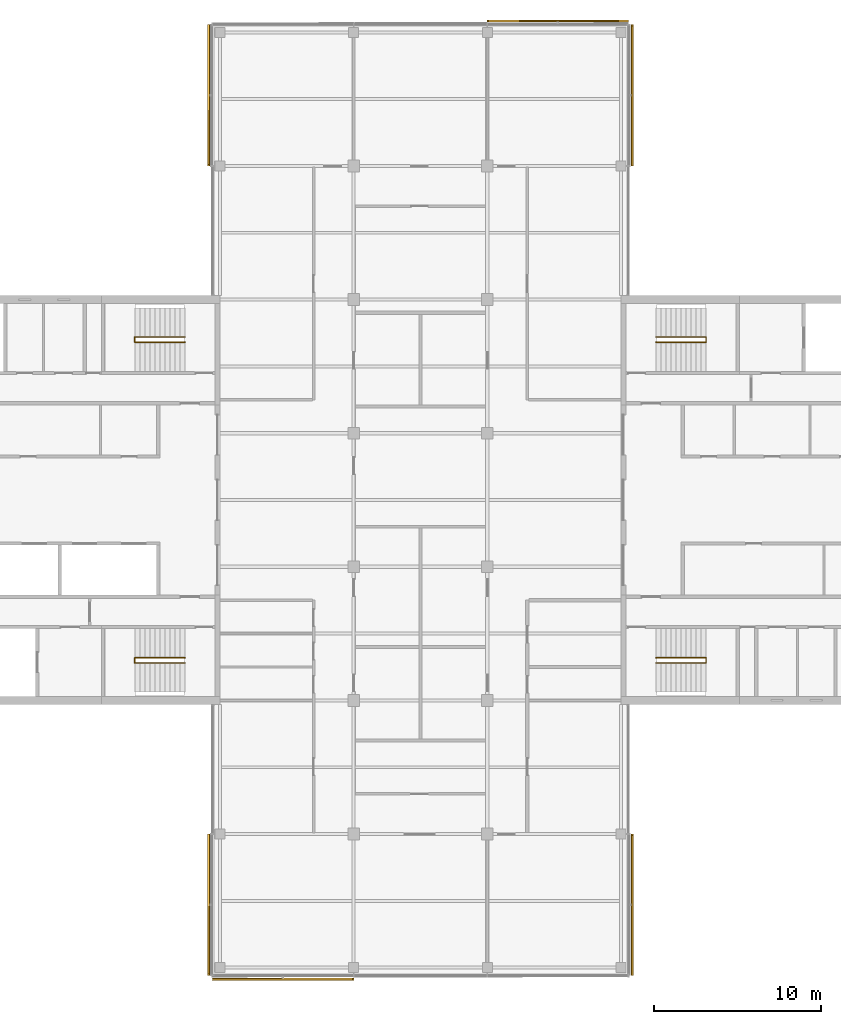
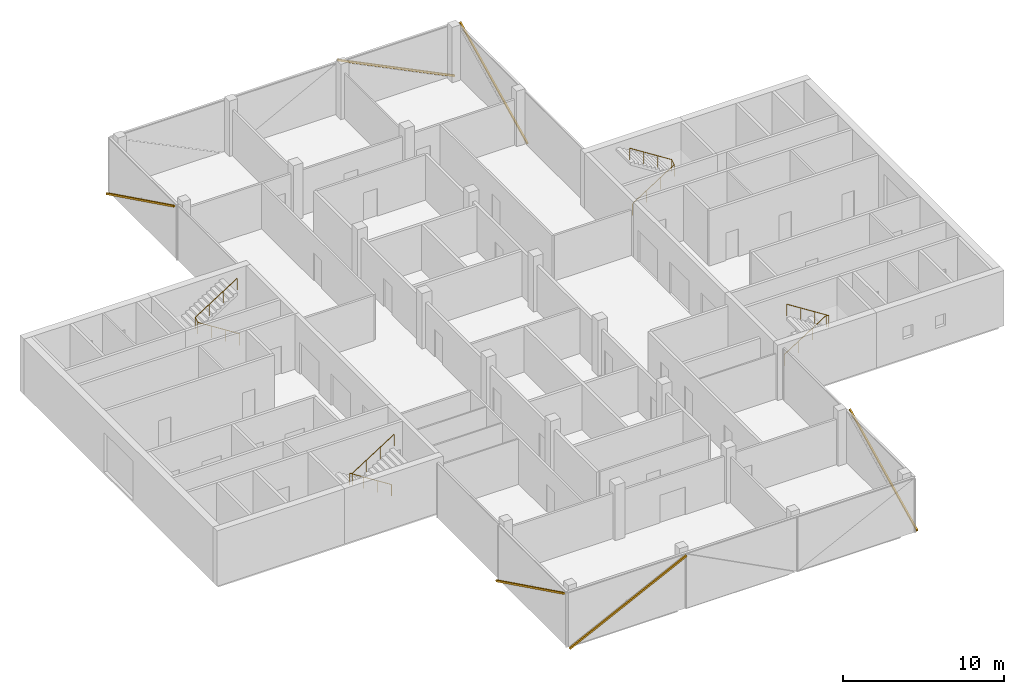
# One storey, part 16 of 16: 6 shading devices, 4 railings, 6 elements without a shape of their own.
"""IFC4 building model written with IfcOpenShell, lengths in metres."""

from ifc_helpers import new_model, si_unit, direction, frame, origin, origin_2d, place, context, subcontext, project, spatial, rectangle, circle, extrude, material, material_profile, profile_set, type_object, element, aggregate, save


model = new_model("IFC4")

# Units and contexts
model_context = context("Model", 3, precision=1e-05, world=origin(), true_north=direction((0.0, 1.0)))
body_context = subcontext(model_context, "Body", "Model", "MODEL_VIEW")
ifc_project = project(units=[si_unit("LENGTHUNIT", "METRE"), si_unit("AREAUNIT", "SQUARE_METRE"), si_unit("VOLUMEUNIT", "CUBIC_METRE"), si_unit("PLANEANGLEUNIT", "RADIAN"), si_unit("MASSUNIT", "GRAM", prefix="KILO")], contexts=[model_context])

# Site, building, storey
site_placement = place(None, origin())
site = spatial("IfcSite", under=ifc_project, at=site_placement, CompositionType="ELEMENT")
building_placement = place(site_placement, origin())
building = spatial("IfcBuilding", under=site, at=building_placement, Name="Crosswind Convention Tower", CompositionType="ELEMENT")
storey_placement = place(building_placement, frame((0.0, 0.0, 291.300048828125)))
storey = spatial("IfcBuildingStorey", under=building, at=storey_placement, Name="L63", CompositionType="ELEMENT", Elevation=291.300048828125)

# Railings
ifc_material_1 = material(Name="Stainless steel", Category="steel")
railing_type = type_object("IfcRailingType", Name="Stair handrail 900", PredefinedType="HANDRAIL", material=ifc_material_1)
railing_1_placement = place(storey_placement, frame((139.10009765625, 109.43994140625, 0.19091796875)))
element("IfcRailing", 1, at=railing_1_placement, inside=storey, type_object=railing_type, Name="Stair ST1 handrail L63", PredefinedType="HANDRAIL", context=body_context, shape_type="SweptSolid", body=[
    extrude(circle(Radius=0.02392578125, at=origin_2d()), frame((0.0, 0.0, 0.8759765625), z_axis=(0.843681277094, 0.0, 0.536844393359), x_axis=(0.0, 1.0, 0.0)), (0.0, 0.0, 1.0), 3.555908203125),
    extrude(circle(Radius=0.02392578125, at=origin_2d()), frame((3.0, 0.0, 2.78466796875), z_axis=(0.0, 0.858819504967, 0.512278301208), x_axis=(-1.0, 0.0, 0.0)), (0.0, 0.0, 1.0), 0.372802734375),
    extrude(circle(Radius=0.02392578125, at=origin_2d()), frame((3.0, 0.320068359375, 2.9755859375), z_axis=(-0.843650179428, 0.0, 0.536893261973), x_axis=(0.0, -1.0, 0.0)), (0.0, 0.0, 1.0), 3.555908203125),
    extrude(circle(Radius=0.02099609375, at=origin_2d()), origin(), (0.0, 0.0, 1.0), 0.851806640625),
    extrude(circle(Radius=0.02099609375, at=origin_2d()), frame((1.0, 0.0, 0.63623046875)), (0.0, 0.0, 1.0), 0.851806640625),
    extrude(circle(Radius=0.02099609375, at=origin_2d()), frame((2.0, 0.0, 1.272705078125)), (0.0, 0.0, 1.0), 0.851806640625),
    extrude(circle(Radius=0.02099609375, at=origin_2d()), frame((3.0, 0.0, 1.908935546875)), (0.0, 0.0, 1.0), 0.851806640625),
    extrude(circle(Radius=0.02099609375, at=origin_2d()), frame((3.0, 0.320068359375, 2.099853515625)), (0.0, 0.0, 1.0), 0.851806640625),
    extrude(circle(Radius=0.02099609375, at=origin_2d()), frame((2.0, 0.320068359375, 2.736328125)), (0.0, 0.0, 1.0), 0.851806640625),
    extrude(circle(Radius=0.02099609375, at=origin_2d()), frame((1.0, 0.320068359375, 3.37255859375)), (0.0, 0.0, 1.0), 0.851806640625),
    extrude(circle(Radius=0.02099609375, at=origin_2d()), frame((0.0, 0.320068359375, 4.009033203125)), (0.0, 0.0, 1.0), 0.851806640625),
])
railing_2_placement = place(storey_placement, frame((139.10009765625, 90.56005859375, 0.19091796875)))
element("IfcRailing", 2, at=railing_2_placement, inside=storey, type_object=railing_type, Name="Stair ST2 handrail L63", PredefinedType="HANDRAIL", context=body_context, shape_type="SweptSolid", body=[
    extrude(circle(Radius=0.02392578125, at=origin_2d()), frame((0.0, 0.0, 0.8759765625), z_axis=(0.843681277094, 0.0, 0.536844393359), x_axis=(0.0, 1.0, 0.0)), (0.0, 0.0, 1.0), 3.555908203125),
    extrude(circle(Radius=0.02392578125, at=origin_2d()), frame((3.0, 0.0, 2.78466796875), z_axis=(0.0, -0.858819504967, 0.512278301208), x_axis=(1.0, 0.0, 0.0)), (0.0, 0.0, 1.0), 0.372802734375),
    extrude(circle(Radius=0.02392578125, at=origin_2d()), frame((3.0, -0.320068359375, 2.9755859375), z_axis=(-0.843650179428, 0.0, 0.536893261973), x_axis=(0.0, -1.0, 0.0)), (0.0, 0.0, 1.0), 3.555908203125),
    extrude(circle(Radius=0.02099609375, at=origin_2d()), origin(), (0.0, 0.0, 1.0), 0.851806640625),
    extrude(circle(Radius=0.02099609375, at=origin_2d()), frame((1.0, 0.0, 0.63623046875)), (0.0, 0.0, 1.0), 0.851806640625),
    extrude(circle(Radius=0.02099609375, at=origin_2d()), frame((2.0, 0.0, 1.272705078125)), (0.0, 0.0, 1.0), 0.851806640625),
    extrude(circle(Radius=0.02099609375, at=origin_2d()), frame((3.0, 0.0, 1.908935546875)), (0.0, 0.0, 1.0), 0.851806640625),
    extrude(circle(Radius=0.02099609375, at=origin_2d()), frame((3.0, -0.320068359375, 2.099853515625)), (0.0, 0.0, 1.0), 0.851806640625),
    extrude(circle(Radius=0.02099609375, at=origin_2d()), frame((2.0, -0.320068359375, 2.736328125)), (0.0, 0.0, 1.0), 0.851806640625),
    extrude(circle(Radius=0.02099609375, at=origin_2d()), frame((1.0, -0.320068359375, 3.37255859375)), (0.0, 0.0, 1.0), 0.851806640625),
    extrude(circle(Radius=0.02099609375, at=origin_2d()), frame((0.0, -0.320068359375, 4.009033203125)), (0.0, 0.0, 1.0), 0.851806640625),
])
railing_3_placement = place(storey_placement, frame((110.89990234375, 90.56005859375, 0.19091796875)))
element("IfcRailing", 3, at=railing_3_placement, inside=storey, type_object=railing_type, Name="Stair ST3 handrail L63", PredefinedType="HANDRAIL", context=body_context, shape_type="SweptSolid", body=[
    extrude(circle(Radius=0.02392578125, at=origin_2d()), frame((0.0, 0.0, 0.8759765625), z_axis=(-0.843681277094, 0.0, 0.536844393359), x_axis=(0.0, -1.0, 0.0)), (0.0, 0.0, 1.0), 3.555908203125),
    extrude(circle(Radius=0.02392578125, at=origin_2d()), frame((-3.0, 0.0, 2.78466796875), z_axis=(0.0, -0.858819504967, 0.512278301208), x_axis=(1.0, 0.0, 0.0)), (0.0, 0.0, 1.0), 0.372802734375),
    extrude(circle(Radius=0.02392578125, at=origin_2d()), frame((-3.0, -0.320068359375, 2.9755859375), z_axis=(0.843650179428, 0.0, 0.536893261973), x_axis=(0.0, 1.0, 0.0)), (0.0, 0.0, 1.0), 3.555908203125),
    extrude(circle(Radius=0.02099609375, at=origin_2d()), origin(), (0.0, 0.0, 1.0), 0.851806640625),
    extrude(circle(Radius=0.02099609375, at=origin_2d()), frame((-1.0, 0.0, 0.63623046875)), (0.0, 0.0, 1.0), 0.851806640625),
    extrude(circle(Radius=0.02099609375, at=origin_2d()), frame((-2.0, 0.0, 1.272705078125)), (0.0, 0.0, 1.0), 0.851806640625),
    extrude(circle(Radius=0.02099609375, at=origin_2d()), frame((-3.0, 0.0, 1.908935546875)), (0.0, 0.0, 1.0), 0.851806640625),
    extrude(circle(Radius=0.02099609375, at=origin_2d()), frame((-3.0, -0.320068359375, 2.099853515625)), (0.0, 0.0, 1.0), 0.851806640625),
    extrude(circle(Radius=0.02099609375, at=origin_2d()), frame((-2.0, -0.320068359375, 2.736328125)), (0.0, 0.0, 1.0), 0.851806640625),
    extrude(circle(Radius=0.02099609375, at=origin_2d()), frame((-1.0, -0.320068359375, 3.37255859375)), (0.0, 0.0, 1.0), 0.851806640625),
    extrude(circle(Radius=0.02099609375, at=origin_2d()), frame((0.0, -0.320068359375, 4.009033203125)), (0.0, 0.0, 1.0), 0.851806640625),
])
railing_4_placement = place(storey_placement, frame((110.89990234375, 109.43994140625, 0.19091796875)))
element("IfcRailing", 4, at=railing_4_placement, inside=storey, type_object=railing_type, Name="Stair ST4 handrail L63", PredefinedType="HANDRAIL", context=body_context, shape_type="SweptSolid", body=[
    extrude(circle(Radius=0.02392578125, at=origin_2d()), frame((0.0, 0.0, 0.8759765625), z_axis=(-0.843681277094, 0.0, 0.536844393359), x_axis=(0.0, -1.0, 0.0)), (0.0, 0.0, 1.0), 3.555908203125),
    extrude(circle(Radius=0.02392578125, at=origin_2d()), frame((-3.0, 0.0, 2.78466796875), z_axis=(0.0, 0.858819504967, 0.512278301208), x_axis=(-1.0, 0.0, 0.0)), (0.0, 0.0, 1.0), 0.372802734375),
    extrude(circle(Radius=0.02392578125, at=origin_2d()), frame((-3.0, 0.320068359375, 2.9755859375), z_axis=(0.843650179428, 0.0, 0.536893261973), x_axis=(0.0, 1.0, 0.0)), (0.0, 0.0, 1.0), 3.555908203125),
    extrude(circle(Radius=0.02099609375, at=origin_2d()), origin(), (0.0, 0.0, 1.0), 0.851806640625),
    extrude(circle(Radius=0.02099609375, at=origin_2d()), frame((-1.0, 0.0, 0.63623046875)), (0.0, 0.0, 1.0), 0.851806640625),
    extrude(circle(Radius=0.02099609375, at=origin_2d()), frame((-2.0, 0.0, 1.272705078125)), (0.0, 0.0, 1.0), 0.851806640625),
    extrude(circle(Radius=0.02099609375, at=origin_2d()), frame((-3.0, 0.0, 1.908935546875)), (0.0, 0.0, 1.0), 0.851806640625),
    extrude(circle(Radius=0.02099609375, at=origin_2d()), frame((-3.0, 0.320068359375, 2.099853515625)), (0.0, 0.0, 1.0), 0.851806640625),
    extrude(circle(Radius=0.02099609375, at=origin_2d()), frame((-2.0, 0.320068359375, 2.736328125)), (0.0, 0.0, 1.0), 0.851806640625),
    extrude(circle(Radius=0.02099609375, at=origin_2d()), frame((-1.0, 0.320068359375, 3.37255859375)), (0.0, 0.0, 1.0), 0.851806640625),
    extrude(circle(Radius=0.02099609375, at=origin_2d()), frame((0.0, 0.320068359375, 4.009033203125)), (0.0, 0.0, 1.0), 0.851806640625),
])

# Curtain wall, shading device
ifc_material_2 = material(Name="Aluminium unitised curtain wall", Category="aluminium")
curtain_wall_type = type_object("IfcCurtainWallType", Name="OFFICE UNITISED WALL 220", PredefinedType="USERDEFINED", material=ifc_material_2)
curtain_wall_1_placement = place(storey_placement, origin())
curtain_wall_1 = element("IfcCurtainWall", 5, at=curtain_wall_1_placement, inside=storey, type_object=curtain_wall_type, Name="CW3 L63 N-E 1", ObjectType="UNITISED", PredefinedType="USERDEFINED")
ifc_material_3 = material(Name="Extruded terracotta", Category="masonry")
ifc_material_profile = material_profile(ifc_material_3, rectangle(XDim=0.110107421875, YDim=0.1298828125, at=origin_2d()), Name="TC 110X130")
ifc_profile_set = profile_set([ifc_material_profile], Name="Extruded terracotta")
shading_device_type = type_object("IfcShadingDeviceType", Name="TERRACOTTA BAGUETTE 130X110", PredefinedType="USERDEFINED", material=ifc_profile_set)
shading_device_1_placement = place(storey_placement, frame((137.680908203125, 120.034912109375, -0.300048828125), z_axis=(0.0, 0.897198049762, 0.441628417907), x_axis=(-1.0, 0.0, 0.0)))
shading_device_1 = element("IfcShadingDevice", 6, at=shading_device_1_placement, type_object=shading_device_type, Name="CW3 terracotta baguette 1", ObjectType="BAGUETTE", PredefinedType="USERDEFINED", context=body_context, shape_type="SweptSolid", body=[
    extrude(rectangle(XDim=0.110107421875, YDim=0.1298828125, at=origin_2d()), origin(), (0.0, 0.0, 1.0), 9.3515625),
])
aggregate(curtain_wall_1, [shading_device_1])

curtain_wall_2_placement = place(storey_placement, origin())
curtain_wall_2 = element("IfcCurtainWall", 7, at=curtain_wall_2_placement, inside=storey, type_object=curtain_wall_type, Name="CW3 L63 N-TIP 1", ObjectType="UNITISED", PredefinedType="USERDEFINED")
shading_device_2_placement = place(storey_placement, frame((137.425048828125, 128.680908203125, -0.300048828125), z_axis=(-0.897198049762, 0.0, 0.441628417907), x_axis=(0.0, -1.0, 0.0)))
shading_device_2 = element("IfcShadingDevice", 8, at=shading_device_2_placement, type_object=shading_device_type, Name="CW3 terracotta baguette 1", ObjectType="BAGUETTE", PredefinedType="USERDEFINED", context=body_context, shape_type="SweptSolid", body=[
    extrude(rectangle(XDim=0.110107421875, YDim=0.1298828125, at=origin_2d()), origin(), (0.0, 0.0, 1.0), 9.3515625),
])
aggregate(curtain_wall_2, [shading_device_2])

curtain_wall_3_placement = place(storey_placement, origin())
curtain_wall_3 = element("IfcCurtainWall", 9, at=curtain_wall_3_placement, inside=storey, type_object=curtain_wall_type, Name="CW3 L63 N-W 1", ObjectType="UNITISED", PredefinedType="USERDEFINED")
shading_device_3_placement = place(storey_placement, frame((112.319091796875, 128.425048828125, -0.300048828125), z_axis=(0.0, -0.897198049762, 0.441628417907), x_axis=(1.0, 0.0, 0.0)))
shading_device_3 = element("IfcShadingDevice", 10, at=shading_device_3_placement, type_object=shading_device_type, Name="CW3 terracotta baguette 1", ObjectType="BAGUETTE", PredefinedType="USERDEFINED", context=body_context, shape_type="SweptSolid", body=[
    extrude(rectangle(XDim=0.110107421875, YDim=0.1298828125, at=origin_2d()), origin(), (0.0, 0.0, 1.0), 9.3515625),
])
aggregate(curtain_wall_3, [shading_device_3])

curtain_wall_4_placement = place(storey_placement, origin())
curtain_wall_4 = element("IfcCurtainWall", 11, at=curtain_wall_4_placement, inside=storey, type_object=curtain_wall_type, Name="CW3 L63 S-W 1", ObjectType="UNITISED", PredefinedType="USERDEFINED")
shading_device_4_placement = place(storey_placement, frame((112.319091796875, 79.965087890625, -0.300048828125), z_axis=(0.0, -0.897198049762, 0.441628417907), x_axis=(1.0, 0.0, 0.0)))
shading_device_4 = element("IfcShadingDevice", 12, at=shading_device_4_placement, type_object=shading_device_type, Name="CW3 terracotta baguette 1", ObjectType="BAGUETTE", PredefinedType="USERDEFINED", context=body_context, shape_type="SweptSolid", body=[
    extrude(rectangle(XDim=0.110107421875, YDim=0.1298828125, at=origin_2d()), origin(), (0.0, 0.0, 1.0), 9.3515625),
])
aggregate(curtain_wall_4, [shading_device_4])

curtain_wall_5_placement = place(storey_placement, origin())
curtain_wall_5 = element("IfcCurtainWall", 13, at=curtain_wall_5_placement, inside=storey, type_object=curtain_wall_type, Name="CW3 L63 S-TIP 1", ObjectType="UNITISED", PredefinedType="USERDEFINED")
shading_device_5_placement = place(storey_placement, frame((112.574951171875, 71.319091796875, -0.300048828125), z_axis=(0.897198049762, 0.0, 0.441628417907), x_axis=(0.0, 1.0, 0.0)))
shading_device_5 = element("IfcShadingDevice", 14, at=shading_device_5_placement, type_object=shading_device_type, Name="CW3 terracotta baguette 1", ObjectType="BAGUETTE", PredefinedType="USERDEFINED", context=body_context, shape_type="SweptSolid", body=[
    extrude(rectangle(XDim=0.110107421875, YDim=0.1298828125, at=origin_2d()), origin(), (0.0, 0.0, 1.0), 9.3515625),
])
aggregate(curtain_wall_5, [shading_device_5])

curtain_wall_6_placement = place(storey_placement, origin())
curtain_wall_6 = element("IfcCurtainWall", 15, at=curtain_wall_6_placement, inside=storey, type_object=curtain_wall_type, Name="CW3 L63 S-E 1", ObjectType="UNITISED", PredefinedType="USERDEFINED")
shading_device_6_placement = place(storey_placement, frame((137.680908203125, 71.574951171875, -0.300048828125), z_axis=(0.0, 0.897198049762, 0.441628417907), x_axis=(-1.0, 0.0, 0.0)))
shading_device_6 = element("IfcShadingDevice", 16, at=shading_device_6_placement, type_object=shading_device_type, Name="CW3 terracotta baguette 1", ObjectType="BAGUETTE", PredefinedType="USERDEFINED", context=body_context, shape_type="SweptSolid", body=[
    extrude(rectangle(XDim=0.110107421875, YDim=0.1298828125, at=origin_2d()), origin(), (0.0, 0.0, 1.0), 9.3515625),
])
aggregate(curtain_wall_6, [shading_device_6])

save(model, "model.ifc")
